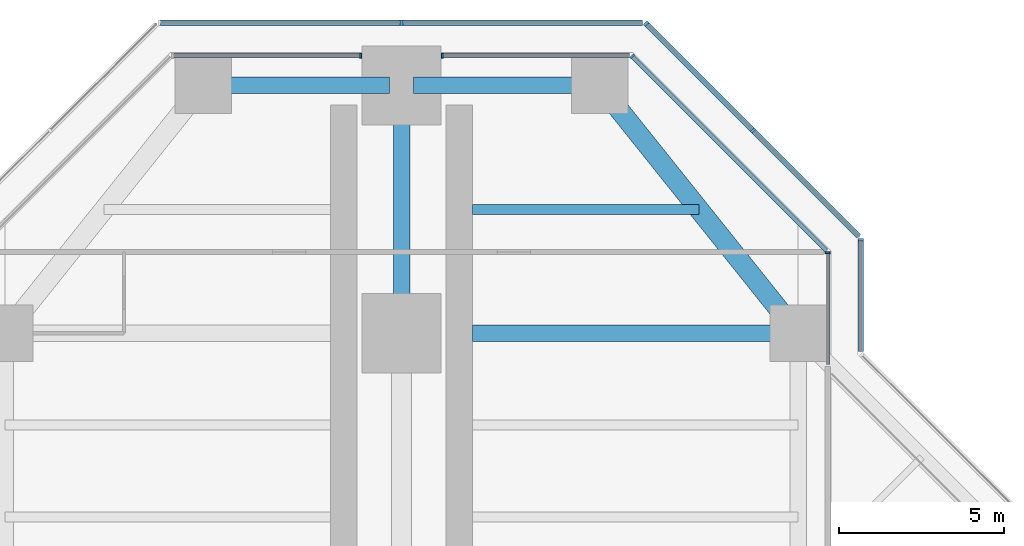
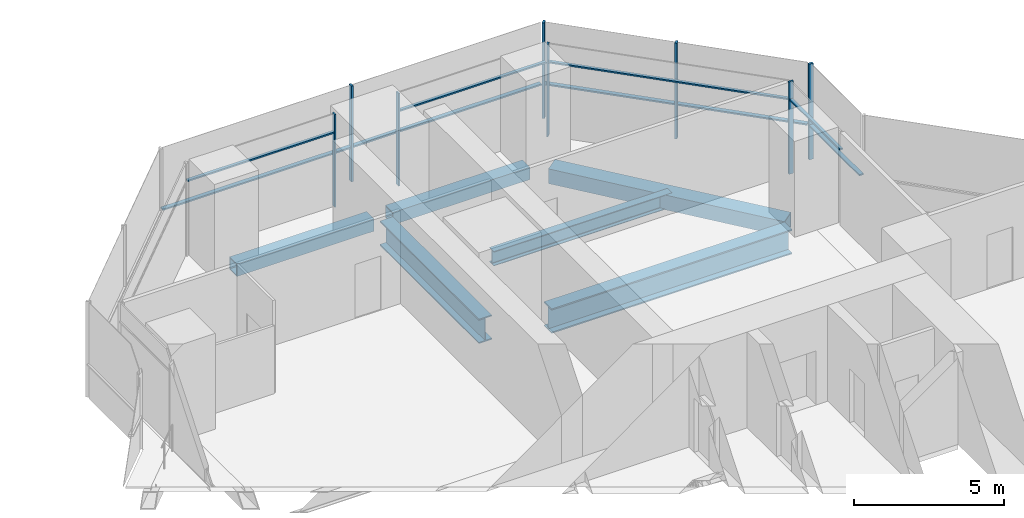
# One storey, part 10 of 19: 17 members, 6 beams, 7 elements without a shape of their own.
"""IFC4 building model written with IfcOpenShell, lengths in metres."""

from ifc_helpers import new_model, si_unit, direction, frame, origin, origin_2d, place, context, subcontext, project, spatial, rectangle, hollow_rectangle, i_section, extrude, material, material_profile, profile_set, type_object, element, aggregate, save


model = new_model("IFC4")

# Units and contexts
model_context = context("Model", 3, precision=1e-05, world=origin(), true_north=direction((0.0, 1.0)))
body_context = subcontext(model_context, "Body", "Model", "MODEL_VIEW")
ifc_project = project(units=[si_unit("LENGTHUNIT", "METRE"), si_unit("AREAUNIT", "SQUARE_METRE"), si_unit("VOLUMEUNIT", "CUBIC_METRE"), si_unit("PLANEANGLEUNIT", "RADIAN"), si_unit("MASSUNIT", "GRAM", prefix="KILO")], contexts=[model_context])

# Site, building, storey
site_placement = place(None, origin())
site = spatial("IfcSite", under=ifc_project, at=site_placement, CompositionType="ELEMENT")
building_placement = place(site_placement, origin())
building = spatial("IfcBuilding", under=site, at=building_placement, Name="Mizan Broadcast Tower", CompositionType="ELEMENT")
storey_placement = place(building_placement, frame((0.0, 0.0, 186.60009765625)))
storey = spatial("IfcBuildingStorey", under=building, at=storey_placement, Name="L43", CompositionType="ELEMENT", Elevation=186.60009765625)

# Beams
ifc_material_1 = material(Name="Steel S355", Category="steel")
ifc_material_profile_1 = material_profile(ifc_material_1, hollow_rectangle(XDim=0.5, YDim=0.5, WallThickness=0.030029296875, at=origin_2d()), Name="BOX 500x500x30")
ifc_profile_set_1 = profile_set([ifc_material_profile_1], Name="Steel S355")
beam_type_1 = type_object("IfcBeamType", Name="EDGE BEAM BOX 500x500x30", PredefinedType="SPANDREL", material=ifc_profile_set_1)
for number, where, z_axis, x_axis, name in (
    (1, (5.639892578125, 27.0, -0.380126953125), (-1.0, 0.0, 0.0), (0.0, -1.0, 0.0), "Edge beam BOX 500x500x30 L43 north arm"),
    (2, (-5.639892578125, 27.0, -0.380126953125), (1.0, 0.0, 0.0), (0.0, 1.0, 0.0), "Edge beam BOX 500x500x30 L43 north arm"),
):
    element("IfcBeam", number, at=place(storey_placement, frame(where, z_axis=z_axis, x_axis=x_axis)), inside=storey, type_object=beam_type_1, Name=name, PredefinedType="SPANDREL", context=body_context, shape_type="SweptSolid", body=[
        extrude(hollow_rectangle(XDim=0.5, YDim=0.5, WallThickness=0.030029296875, at=origin_2d()), origin(), (0.0, 0.0, 1.0), 5.27978515625),
    ])
ifc_material_2 = material(Name="Steel S355", Category="steel")
ifc_material_profile_2 = material_profile(ifc_material_2, hollow_rectangle(XDim=0.60009765625, YDim=0.60009765625, WallThickness=0.030029296875, at=origin_2d()), Name="BOX 600x600x30")
ifc_profile_set_2 = profile_set([ifc_material_profile_2], Name="Steel S355")
beam_type_2 = type_object("IfcBeamType", Name="EDGE BEAM BOX 600x600x30", PredefinedType="SPANDREL", material=ifc_profile_set_2)
beam_1_placement = place(storey_placement, frame((11.639892578125, 19.949951171875, -0.43017578125), z_axis=(-0.624673911726, 0.780885717636, 0.0), x_axis=(-0.780885717636, -0.624673911726, 0.0)))
element("IfcBeam", 3, at=beam_1_placement, inside=storey, type_object=beam_type_2, Name="Edge beam BOX 600x600x30 L43 north arm", PredefinedType="SPANDREL", context=body_context, shape_type="SweptSolid", body=[
    extrude(hollow_rectangle(XDim=0.60009765625, YDim=0.60009765625, WallThickness=0.030029296875, at=origin_2d()), origin(), (0.0, 0.0, 1.0), 8.4521484375),
])
ifc_material_3 = material(Name="Steel S460", Category="steel")
ifc_material_profile_3 = material_profile(ifc_material_3, i_section(OverallWidth=0.5, OverallDepth=1.0, WebThickness=0.02490234375, FlangeThickness=0.050048828125, at=origin_2d()), Name="WPG 1000x500")
ifc_profile_set_3 = profile_set([ifc_material_profile_3], Name="Steel S460")
beam_type_3 = type_object("IfcBeamType", Name="GIRDER WPG 1000x500", PredefinedType="BEAM", material=ifc_profile_set_3)
beam_2_placement = place(storey_placement, frame((0.0, 19.949951171875, -0.630126953125), z_axis=(0.0, 1.0, 0.0), x_axis=(-1.0, 0.0, 0.0)))
element("IfcBeam", 4, at=beam_2_placement, inside=storey, type_object=beam_type_3, Name="Girder WPG 1000x500 L43 north arm", PredefinedType="BEAM", context=body_context, shape_type="SweptSolid", body=[
    extrude(i_section(OverallWidth=0.5, OverallDepth=1.0, WebThickness=0.02490234375, FlangeThickness=0.050048828125, at=origin_2d()), origin(), (0.0, 0.0, 1.0), 6.60009765625),
])
beam_3_placement = place(storey_placement, frame((11.408935546875, 19.5, -0.630126953125), z_axis=(-1.0, 0.0, 0.0), x_axis=(0.0, -1.0, 0.0)))
element("IfcBeam", 5, at=beam_3_placement, inside=storey, type_object=beam_type_3, Name="Girder WPG 1000x500 L43 north arm", PredefinedType="BEAM", context=body_context, shape_type="SweptSolid", body=[
    extrude(i_section(OverallWidth=0.5, OverallDepth=1.0, WebThickness=0.02490234375, FlangeThickness=0.050048828125, at=origin_2d()), origin(), (0.0, 0.0, 1.0), 9.259033203125),
])

# Curtain wall, member
ifc_material_4 = material(Name="Aluminium framed glazing", Category="aluminium")
curtain_wall_type_1 = type_object("IfcCurtainWallType", Name="INNER SKIN MID ZONE", PredefinedType="USERDEFINED", material=ifc_material_4)
curtain_wall_1_placement = place(storey_placement, origin())
curtain_wall_1 = element("IfcCurtainWall", 6, at=curtain_wall_1_placement, inside=storey, type_object=curtain_wall_type_1, Name="Inner skin mid zone L43 N side", ObjectType="INNER SKIN MID ZONE", PredefinedType="USERDEFINED")
ifc_material_5 = material(Name="Aluminium, pale anodised", Category="aluminium")
ifc_material_profile_4 = material_profile(ifc_material_5, rectangle(XDim=0.159912109375, YDim=0.06005859375, at=origin_2d()), Name="MULLION 160x60")
ifc_profile_set_4 = profile_set([ifc_material_profile_4], Name="Aluminium, pale anodised")
member_type_1 = type_object("IfcMemberType", Name="INNER SKIN MULLION 60x160", PredefinedType="MULLION", material=ifc_profile_set_4)
member_1_placement = place(storey_placement, frame((12.89990234375, 21.928466796875, 0.0), z_axis=(0.0, 0.0, 1.0), x_axis=(-1.0, 0.0, 0.0)))
member_1 = element("IfcMember", 7, at=member_1_placement, type_object=member_type_1, Name="Inner skin mid zone L43 N side mullion 2", PredefinedType="MULLION", context=body_context, shape_type="SweptSolid", body=[
    extrude(rectangle(XDim=0.159912109375, YDim=0.06005859375, at=origin_2d()), origin(), (0.0, 0.0, 1.0), 3.77001953125),
])

curtain_wall_2_placement = place(storey_placement, origin())
curtain_wall_2 = element("IfcCurtainWall", 8, at=curtain_wall_2_placement, inside=storey, type_object=curtain_wall_type_1, Name="Inner skin mid zone L43 N chamfer", ObjectType="INNER SKIN MID ZONE", PredefinedType="USERDEFINED")
member_2_placement = place(storey_placement, frame((6.979736328125, 27.87890625, 0.0), z_axis=(0.0, 0.0, 1.0), x_axis=(-0.707106781187, -0.707106781187, 0.0)))
member_2 = element("IfcMember", 9, at=member_2_placement, type_object=member_type_1, Name="Inner skin mid zone L43 N chamfer mullion 2", PredefinedType="MULLION", context=body_context, shape_type="SweptSolid", body=[
    extrude(rectangle(XDim=0.159912109375, YDim=0.06005859375, at=origin_2d()), origin(), (0.0, 0.0, 1.0), 3.77001953125),
])

curtain_wall_3_placement = place(storey_placement, origin())
curtain_wall_3 = element("IfcCurtainWall", 10, at=curtain_wall_3_placement, inside=storey, type_object=curtain_wall_type_1, Name="Inner skin mid zone L43 N end", ObjectType="INNER SKIN MID ZONE", PredefinedType="USERDEFINED")
member_3_placement = place(storey_placement, frame((1.22998046875, 27.89990234375, 0.0), z_axis=(0.0, 0.0, 1.0), x_axis=(0.0, -1.0, 0.0)))
member_3 = element("IfcMember", 11, at=member_3_placement, type_object=member_type_1, Name="Inner skin mid zone L43 N end mullion 2", PredefinedType="MULLION", context=body_context, shape_type="SweptSolid", body=[
    extrude(rectangle(XDim=0.159912109375, YDim=0.06005859375, at=origin_2d()), origin(), (0.0, 0.0, 1.0), 3.77001953125),
])

curtain_wall_4_placement = place(storey_placement, origin())
curtain_wall_4 = element("IfcCurtainWall", 12, at=curtain_wall_4_placement, inside=storey, type_object=curtain_wall_type_1, Name="Inner skin mid zone L43 N end", ObjectType="INNER SKIN MID ZONE", PredefinedType="USERDEFINED")
member_4_placement = place(storey_placement, frame((-1.22998046875, 27.89990234375, 0.0), z_axis=(0.0, 0.0, 1.0), x_axis=(0.0, -1.0, 0.0)))
member_4 = element("IfcMember", 13, at=member_4_placement, type_object=member_type_1, Name="Inner skin mid zone L43 N end mullion 1", PredefinedType="MULLION", context=body_context, shape_type="SweptSolid", body=[
    extrude(rectangle(XDim=0.159912109375, YDim=0.06005859375, at=origin_2d()), origin(), (0.0, 0.0, 1.0), 3.77001953125),
])

# Member
ifc_material_6 = material(Name="Aluminium, pale anodised", Category="aluminium")
ifc_material_profile_5 = material_profile(ifc_material_6, rectangle(XDim=0.1201171875, YDim=0.06005859375, at=origin_2d()), Name="TRANSOM 120x60")
ifc_profile_set_5 = profile_set([ifc_material_profile_5], Name="Aluminium, pale anodised")
member_type_2 = type_object("IfcMemberType", Name="INNER SKIN TRANSOM 60x120", PredefinedType="USERDEFINED", material=ifc_profile_set_5)
member_5_placement = place(storey_placement, frame((12.89990234375, 18.56005859375, 3.02978515625), z_axis=(0.0, 1.0, 0.0), x_axis=(-1.0, 0.0, 0.0)))
member_5 = element("IfcMember", 14, at=member_5_placement, type_object=member_type_2, Name="Inner skin mid zone L43 N side transom 1.1", ObjectType="TRANSOM", PredefinedType="USERDEFINED", context=body_context, shape_type="SweptSolid", body=[
    extrude(rectangle(XDim=0.1201171875, YDim=0.06005859375, at=origin_2d()), origin(), (0.0, 0.0, 1.0), 3.338623046875),
])

aggregate(curtain_wall_1, [member_1, member_5])

member_6_placement = place(storey_placement, frame((12.857666015625, 22.0009765625, 3.02978515625), z_axis=(-0.707106781187, 0.707106781187, 0.0), x_axis=(-0.707106781187, -0.707106781187, 0.0)))
member_6 = element("IfcMember", 15, at=member_6_placement, type_object=member_type_2, Name="Inner skin mid zone L43 N chamfer transom 1.1", ObjectType="TRANSOM", PredefinedType="USERDEFINED", context=body_context, shape_type="SweptSolid", body=[
    extrude(rectangle(XDim=0.1201171875, YDim=0.06005859375, at=origin_2d()), origin(), (0.0, 0.0, 1.0), 8.28271484375),
])

aggregate(curtain_wall_2, [member_2, member_6])

member_7_placement = place(storey_placement, frame((6.898681640625, 27.89990234375, 3.02978515625), z_axis=(-1.0, 0.0, 0.0), x_axis=(0.0, -1.0, 0.0)))
member_7 = element("IfcMember", 16, at=member_7_placement, type_object=member_type_2, Name="Inner skin mid zone L43 N end transom 1.1", ObjectType="TRANSOM", PredefinedType="USERDEFINED", context=body_context, shape_type="SweptSolid", body=[
    extrude(rectangle(XDim=0.1201171875, YDim=0.06005859375, at=origin_2d()), origin(), (0.0, 0.0, 1.0), 5.638671875),
])

aggregate(curtain_wall_3, [member_3, member_7])

member_8_placement = place(storey_placement, frame((-1.260009765625, 27.89990234375, 3.02978515625), z_axis=(-1.0, 0.0, 0.0), x_axis=(0.0, -1.0, 0.0)))
member_8 = element("IfcMember", 17, at=member_8_placement, type_object=member_type_2, Name="Inner skin mid zone L43 N end transom 1.1", ObjectType="TRANSOM", PredefinedType="USERDEFINED", context=body_context, shape_type="SweptSolid", body=[
    extrude(rectangle(XDim=0.1201171875, YDim=0.06005859375, at=origin_2d()), origin(), (0.0, 0.0, 1.0), 5.638671875),
])

aggregate(curtain_wall_4, [member_4, member_8])

# Curtain wall, member
ifc_material_7 = material(Name="Aluminium framed glazing", Category="aluminium")
curtain_wall_type_2 = type_object("IfcCurtainWallType", Name="OUTER SKIN", PredefinedType="USERDEFINED", material=ifc_material_7)
curtain_wall_5_placement = place(storey_placement, origin())
curtain_wall_5 = element("IfcCurtainWall", 18, at=curtain_wall_5_placement, inside=storey, type_object=curtain_wall_type_2, Name="Outer skin L43 N side", ObjectType="OUTER SKIN", PredefinedType="USERDEFINED")
ifc_material_8 = material(Name="Aluminium, pale anodised", Category="aluminium")
ifc_material_profile_6 = material_profile(ifc_material_8, rectangle(XDim=0.159912109375, YDim=0.080078125, at=origin_2d()), Name="MULLION 160x80")
ifc_profile_set_6 = profile_set([ifc_material_profile_6], Name="Aluminium, pale anodised")
member_type_3 = type_object("IfcMemberType", Name="OUTER SKIN MULLION 80x160", PredefinedType="MULLION", material=ifc_profile_set_6)
member_9_placement = place(storey_placement, frame((13.89990234375, 22.332763671875, 0.0), z_axis=(0.0, 0.0, 1.0), x_axis=(-1.0, 0.0, 0.0)))
member_9 = element("IfcMember", 19, at=member_9_placement, type_object=member_type_3, Name="Outer skin L43 N side mullion 2", PredefinedType="MULLION", context=body_context, shape_type="SweptSolid", body=[
    extrude(rectangle(XDim=0.159912109375, YDim=0.080078125, at=origin_2d()), origin(), (0.0, 0.0, 1.0), 3.89990234375),
])

# Curtain wall, members
curtain_wall_6_placement = place(storey_placement, origin())
curtain_wall_6 = element("IfcCurtainWall", 20, at=curtain_wall_6_placement, inside=storey, type_object=curtain_wall_type_2, Name="Outer skin L43 N chamfer", ObjectType="OUTER SKIN", PredefinedType="USERDEFINED")
member_10_placement = place(storey_placement, frame((10.636474609375, 25.636474609375, 0.0), z_axis=(0.0, 0.0, 1.0), x_axis=(-0.707106781187, -0.707106781187, 0.0)))
member_10 = element("IfcMember", 21, at=member_10_placement, type_object=member_type_3, Name="Outer skin L43 N chamfer mullion 2", PredefinedType="MULLION", context=body_context, shape_type="SweptSolid", body=[
    extrude(rectangle(XDim=0.159912109375, YDim=0.080078125, at=origin_2d()), origin(), (0.0, 0.0, 1.0), 3.89990234375),
])
member_11_placement = place(storey_placement, frame((7.401123046875, 28.871826171875, 0.0), z_axis=(0.0, 0.0, 1.0), x_axis=(-0.707106781187, -0.707106781187, 0.0)))
member_11 = element("IfcMember", 22, at=member_11_placement, type_object=member_type_3, Name="Outer skin L43 N chamfer mullion 3", PredefinedType="MULLION", context=body_context, shape_type="SweptSolid", body=[
    extrude(rectangle(XDim=0.159912109375, YDim=0.080078125, at=origin_2d()), origin(), (0.0, 0.0, 1.0), 3.89990234375),
])

# Curtain wall, member
curtain_wall_7_placement = place(storey_placement, origin())
curtain_wall_7 = element("IfcCurtainWall", 23, at=curtain_wall_7_placement, inside=storey, type_object=curtain_wall_type_2, Name="Outer skin L43 N end", ObjectType="OUTER SKIN", PredefinedType="USERDEFINED")
member_12_placement = place(storey_placement, frame((0.0, 28.89990234375, 0.0), z_axis=(0.0, 0.0, 1.0), x_axis=(0.0, -1.0, 0.0)))
member_12 = element("IfcMember", 24, at=member_12_placement, type_object=member_type_3, Name="Outer skin L43 N end mullion 2", PredefinedType="MULLION", context=body_context, shape_type="SweptSolid", body=[
    extrude(rectangle(XDim=0.159912109375, YDim=0.080078125, at=origin_2d()), origin(), (0.0, 0.0, 1.0), 3.89990234375),
])

# Member
ifc_material_9 = material(Name="Aluminium, pale anodised", Category="aluminium")
ifc_material_profile_7 = material_profile(ifc_material_9, rectangle(XDim=0.159912109375, YDim=0.06005859375, at=origin_2d()), Name="TRANSOM 160x60")
ifc_profile_set_7 = profile_set([ifc_material_profile_7], Name="Aluminium, pale anodised")
member_type_4 = type_object("IfcMemberType", Name="OUTER SKIN TRANSOM 60x160", PredefinedType="USERDEFINED", material=ifc_profile_set_7)
member_13_placement = place(storey_placement, frame((13.89990234375, 18.952880859375, 1.39990234375), z_axis=(0.0, 1.0, 0.0), x_axis=(-1.0, 0.0, 0.0)))
member_13 = element("IfcMember", 25, at=member_13_placement, type_object=member_type_4, Name="Outer skin L43 N side transom 1.1", ObjectType="TRANSOM", PredefinedType="USERDEFINED", context=body_context, shape_type="SweptSolid", body=[
    extrude(rectangle(XDim=0.159912109375, YDim=0.06005859375, at=origin_2d()), origin(), (0.0, 0.0, 1.0), 3.33984375),
])

aggregate(curtain_wall_5, [member_9, member_13])

member_14_placement = place(storey_placement, frame((13.843505859375, 22.429443359375, 1.39990234375), z_axis=(-0.707106781187, 0.707106781187, 0.0), x_axis=(-0.707106781187, -0.707106781187, 0.0)))
member_14 = element("IfcMember", 26, at=member_14_placement, type_object=member_type_4, Name="Outer skin L43 N chamfer transom 1.1", ObjectType="TRANSOM", PredefinedType="USERDEFINED", context=body_context, shape_type="SweptSolid", body=[
    extrude(rectangle(XDim=0.159912109375, YDim=0.06005859375, at=origin_2d()), origin(), (0.0, 0.0, 1.0), 4.495361328125),
])

member_15_placement = place(storey_placement, frame((10.608154296875, 25.664794921875, 1.39990234375), z_axis=(-0.707106781187, 0.707106781187, 0.0), x_axis=(-0.707106781187, -0.707106781187, 0.0)))
member_15 = element("IfcMember", 27, at=member_15_placement, type_object=member_type_4, Name="Outer skin L43 N chamfer transom 2.1", ObjectType="TRANSOM", PredefinedType="USERDEFINED", context=body_context, shape_type="SweptSolid", body=[
    extrude(rectangle(XDim=0.159912109375, YDim=0.06005859375, at=origin_2d()), origin(), (0.0, 0.0, 1.0), 4.495361328125),
])

aggregate(curtain_wall_6, [member_10, member_11, member_14, member_15])

member_16_placement = place(storey_placement, frame((7.292724609375, 28.89990234375, 1.39990234375), z_axis=(-1.0, 0.0, 0.0), x_axis=(0.0, -1.0, 0.0)))
member_16 = element("IfcMember", 28, at=member_16_placement, type_object=member_type_4, Name="Outer skin L43 N end transom 1.1", ObjectType="TRANSOM", PredefinedType="USERDEFINED", context=body_context, shape_type="SweptSolid", body=[
    extrude(rectangle(XDim=0.159912109375, YDim=0.06005859375, at=origin_2d()), origin(), (0.0, 0.0, 1.0), 7.252685546875),
])

member_17_placement = place(storey_placement, frame((-0.0400390625, 28.89990234375, 1.39990234375), z_axis=(-1.0, 0.0, 0.0), x_axis=(0.0, -1.0, 0.0)))
member_17 = element("IfcMember", 29, at=member_17_placement, type_object=member_type_4, Name="Outer skin L43 N end transom 2.1", ObjectType="TRANSOM", PredefinedType="USERDEFINED", context=body_context, shape_type="SweptSolid", body=[
    extrude(rectangle(XDim=0.159912109375, YDim=0.06005859375, at=origin_2d()), origin(), (0.0, 0.0, 1.0), 7.252685546875),
])

aggregate(curtain_wall_7, [member_12, member_16, member_17])

# Beam
ifc_material_10 = material(Name="Steel S355", Category="steel")
ifc_material_profile_8 = material_profile(ifc_material_10, i_section(OverallWidth=0.300048828125, OverallDepth=0.590087890625, WebThickness=0.012939453125, FlangeThickness=0.02490234375, FilletRadius=0.027099609375, at=origin_2d()), Name="HEA 600")
ifc_profile_set_8 = profile_set([ifc_material_profile_8], Name="Steel S355")
beam_type_4 = type_object("IfcBeamType", Name="SECONDARY BEAM HEA 600", PredefinedType="JOIST", material=ifc_profile_set_8)
beam_4_placement = place(storey_placement, frame((9.0, 23.25, -0.425048828125), z_axis=(-1.0, 0.0, 0.0), x_axis=(0.0, -1.0, 0.0)))
element("IfcBeam", 30, at=beam_4_placement, inside=storey, type_object=beam_type_4, Name="Secondary beam HEA 600 L43 north arm", PredefinedType="JOIST", context=body_context, shape_type="SweptSolid", body=[
    extrude(i_section(OverallWidth=0.300048828125, OverallDepth=0.590087890625, WebThickness=0.012939453125, FlangeThickness=0.02490234375, FilletRadius=0.027099609375, at=origin_2d()), origin(), (0.0, 0.0, 1.0), 6.85009765625),
])

save(model, "model.ifc")
